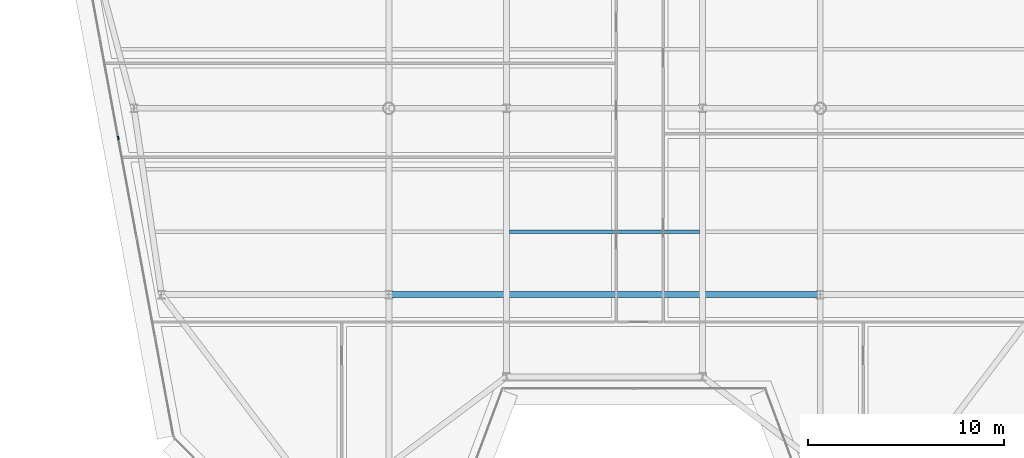
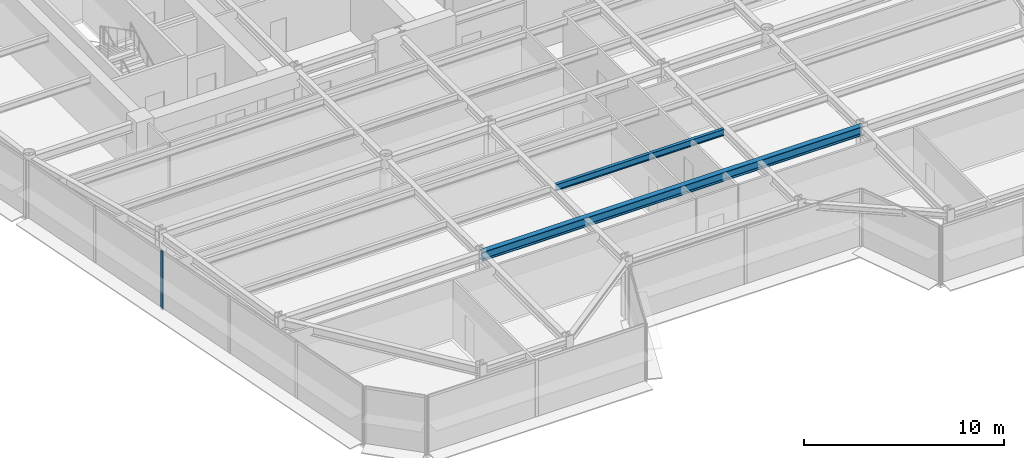
# One storey, part 3 of 17: 2 beams, 1 member, 1 element without a shape of its own.
"""IFC4 building model written with IfcOpenShell, lengths in metres."""

from ifc_helpers import new_model, si_unit, direction, frame, origin, origin_2d, place, context, subcontext, project, spatial, rectangle, i_section, extrude, source, transform, mapped, material, layer, layer_set, material_profile, profile_set, type_object, element, aggregate, save


model = new_model("IFC4")

# Units and contexts
model_context = context("Model", 3, precision=1e-05, world=origin(), true_north=direction((0.0, 1.0)))
body_context = subcontext(model_context, "Body", "Model", "MODEL_VIEW")
ifc_project = project(units=[si_unit("LENGTHUNIT", "METRE"), si_unit("AREAUNIT", "SQUARE_METRE"), si_unit("VOLUMEUNIT", "CUBIC_METRE"), si_unit("PLANEANGLEUNIT", "RADIAN"), si_unit("MASSUNIT", "GRAM", prefix="KILO")], contexts=[model_context])

# Site, building, storey
site_placement = place(None, origin())
site = spatial("IfcSite", under=ifc_project, at=site_placement, CompositionType="ELEMENT")
building_placement = place(site_placement, origin())
building = spatial("IfcBuilding", under=site, at=building_placement, Name="Vaeldorn Concourse Tower", CompositionType="ELEMENT")
storey_placement = place(building_placement, frame((0.0, 0.0, 230.800048828125)))
storey = spatial("IfcBuildingStorey", under=building, at=storey_placement, Name="L59", CompositionType="ELEMENT", Elevation=230.800048828125)

# Beams
ifc_material_1 = material(Name="Steel S355", Category="steel")
ifc_material_profile_1 = material_profile(ifc_material_1, i_section(OverallWidth=0.179931640625, OverallDepth=0.39990234375, WebThickness=0.008544921875, FlangeThickness=0.013427734375, FilletRadius=0.02099609375, at=origin_2d()), Name="IPE 400")
ifc_profile_set_1 = profile_set([ifc_material_profile_1], Name="Steel S355")
beam_type_1 = type_object("IfcBeamType", Name="BM-JS-IPE400", PredefinedType="JOIST", material=ifc_profile_set_1)
shared_shape_1 = source(origin(), body_context, "Body", "SweptSolid", [
    extrude(i_section(OverallWidth=0.179931640625, OverallDepth=0.39990234375, WebThickness=0.008544921875, FlangeThickness=0.013427734375, FilletRadius=0.02099609375, at=origin_2d()), origin(), (0.0, 0.0, 1.0), 9.7001953125),
])
beam_1_placement = place(storey_placement, frame((29.14990234375, 21.199951171875, 3.3798828125), z_axis=(1.0, 0.0, 0.0), x_axis=(0.0, 1.0, 0.0)))
element("IfcBeam", 1, at=beam_1_placement, inside=storey, type_object=beam_type_1, Name="Beam JS-L59-C-212", PredefinedType="JOIST", context=body_context, shape_type="MappedRepresentation", body=[
    mapped(shared_shape_1, transform((0.0, 0.0, 0.0), scale=1.0)),
])
ifc_material_profile_2 = material_profile(ifc_material_1, i_section(OverallWidth=0.300048828125, OverallDepth=0.550048828125, WebThickness=0.014892578125, FlangeThickness=0.029052734375, FilletRadius=0.027099609375, at=origin_2d()), Name="HEB 550")
ifc_profile_set_2 = profile_set([ifc_material_profile_2], Name="Steel S355")
beam_type_2 = type_object("IfcBeamType", Name="BM-PG-HEB550", PredefinedType="BEAM", material=ifc_profile_set_2)
shared_shape_2 = source(origin(), body_context, "Body", "SweptSolid", [
    extrude(i_section(OverallWidth=0.300048828125, OverallDepth=0.550048828125, WebThickness=0.014892578125, FlangeThickness=0.029052734375, FilletRadius=0.027099609375, at=origin_2d()), origin(), (0.0, 0.0, 1.0), 22.0),
])
beam_2_placement = place(storey_placement, frame((23.0, 18.0, 3.304931640625), z_axis=(1.0, 0.0, 0.0), x_axis=(0.0, 1.0, 0.0)))
element("IfcBeam", 2, at=beam_2_placement, inside=storey, type_object=beam_type_2, Name="Beam BM-L59-C-TW5-C-TW6", PredefinedType="BEAM", context=body_context, shape_type="MappedRepresentation", body=[
    mapped(shared_shape_2, transform((0.0, 0.0, 0.0), scale=1.0)),
])

# Curtain wall, member
ifc_material_2 = material(Name="Anodised Bronze Aluminium", Category="aluminium")
ifc_layer = layer(ifc_material_2, 0.179931640625)
ifc_layer_set = layer_set([ifc_layer], Name="Anodised Bronze Aluminium")
curtain_wall_type = type_object("IfcCurtainWallType", Name="CW-SYS-05", PredefinedType="NOTDEFINED", material=ifc_layer_set)
curtain_wall_placement = place(storey_placement, origin())
curtain_wall = element("IfcCurtainWall", 3, at=curtain_wall_placement, inside=storey, type_object=curtain_wall_type, Name="Unitised Curtain Wall CW-L59-E11-2", PredefinedType="NOTDEFINED")
ifc_material_profile_3 = material_profile(ifc_material_2, rectangle(XDim=0.06494140625, YDim=0.169921875, at=origin_2d()), Name="CWM 65x170")
ifc_profile_set_3 = profile_set([ifc_material_profile_3], Name="Anodised Bronze Aluminium")
member_type = type_object("IfcMemberType", Name="CWM-BRONZE-170", PredefinedType="MULLION", material=ifc_profile_set_3)
shared_shape_3 = source(origin(), body_context, "Body", "SweptSolid", [
    extrude(rectangle(XDim=0.06494140625, YDim=0.169921875, at=origin_2d()), origin(), (0.0, 0.0, 1.0), 3.579833984375),
])
member_placement = place(storey_placement, frame((9.200439453125, 25.990966796875, 0.0), z_axis=(0.0, 0.0, 1.0), x_axis=(0.98331890588, 0.181889882456, 0.0)))
member = element("IfcMember", 4, at=member_placement, type_object=member_type, Name="CW-05 mullion 3", PredefinedType="MULLION", context=body_context, shape_type="MappedRepresentation", body=[
    mapped(shared_shape_3, transform((0.0, 0.0, 0.0), scale=1.0)),
])
aggregate(curtain_wall, [member])

save(model, "model.ifc")
